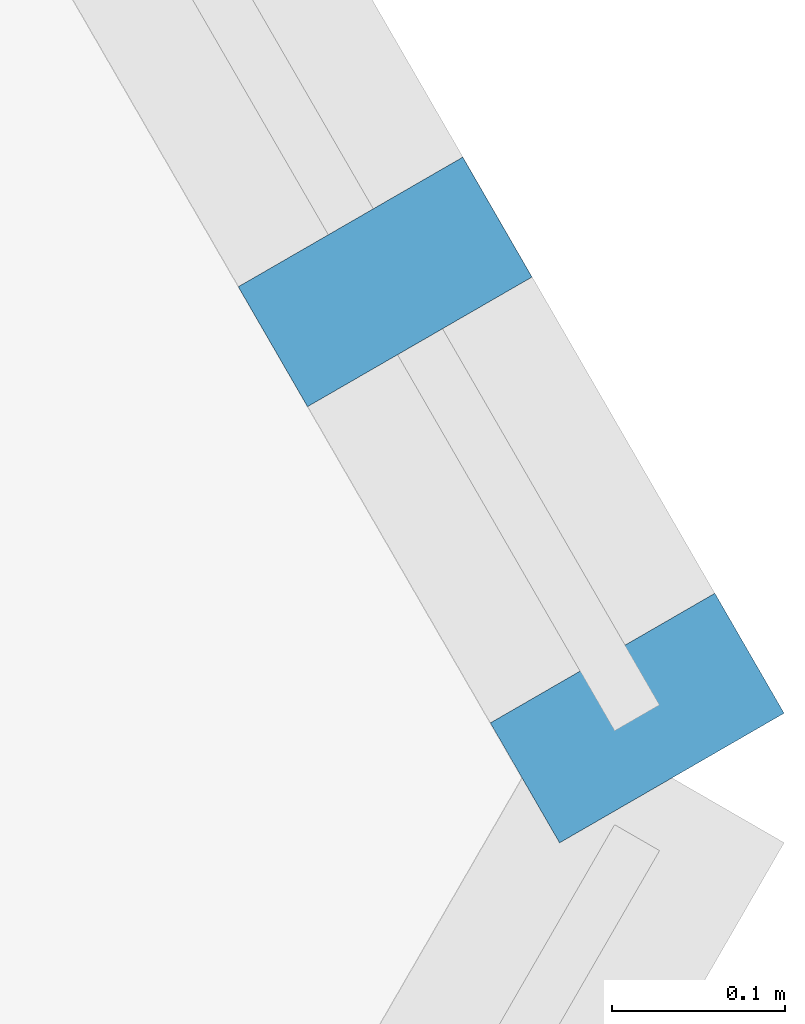
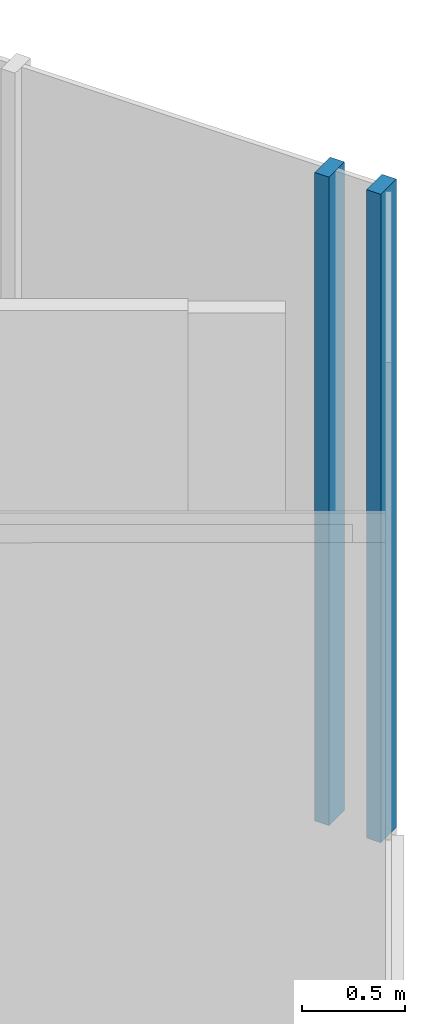
# One storey, part 12 of 26: 2 members, 1 element without a shape of its own.
"""IFC4 building model written with IfcOpenShell, lengths in metres."""

from ifc_helpers import new_model, si_unit, direction, frame, origin, origin_2d, place, context, subcontext, project, spatial, rectangle, extrude, material, layer, layer_set, material_profile, profile_set, type_object, element, aggregate, save


model = new_model("IFC4")

# Units and contexts
model_context = context("Model", 3, precision=1e-05, world=origin(), true_north=direction((0.0, 1.0)))
body_context = subcontext(model_context, "Body", "Model", "MODEL_VIEW")
ifc_project = project(units=[si_unit("LENGTHUNIT", "METRE"), si_unit("AREAUNIT", "SQUARE_METRE"), si_unit("VOLUMEUNIT", "CUBIC_METRE"), si_unit("PLANEANGLEUNIT", "RADIAN"), si_unit("MASSUNIT", "GRAM", prefix="KILO")], contexts=[model_context])

# Site, building, storey
site_placement = place(None, origin())
site = spatial("IfcSite", under=ifc_project, at=site_placement, CompositionType="ELEMENT")
building_placement = place(site_placement, origin())
building = spatial("IfcBuilding", under=site, at=building_placement, Name="Firuza Gate Tower and Library", CompositionType="ELEMENT")
storey_placement = place(building_placement, frame((0.0, 0.0, 65.199951171875)))
storey = spatial("IfcBuildingStorey", under=building, at=storey_placement, Name="L14", CompositionType="ELEMENT", Elevation=65.199951171875)

# Curtain wall, members
ifc_material_1 = material(Name="Aluminium 6063-T6", Category="aluminium")
ifc_layer = layer(ifc_material_1, 0.14990234375)
ifc_layer_set = layer_set([ifc_layer], Name="Unitised curtain wall, offices")
curtain_wall_type = type_object("IfcCurtainWallType", Name="Unitised curtain wall, offices", PredefinedType="NOTDEFINED", material=ifc_layer_set)
curtain_wall_placement = place(storey_placement, origin())
curtain_wall = element("IfcCurtainWall", 1, at=curtain_wall_placement, inside=storey, type_object=curtain_wall_type, Name="CW1 L14 E face", PredefinedType="NOTDEFINED")
ifc_material_2 = material(Name="Aluminium 6063-T6", Category="aluminium")
ifc_material_profile = material_profile(ifc_material_2, rectangle(XDim=0.14990234375, YDim=0.080078125, at=origin_2d()))
ifc_profile_set = profile_set([ifc_material_profile], Name="Aluminium 6063-T6")
member_type = type_object("IfcMemberType", Name="Curtain wall mullion 80x150", PredefinedType="MULLION", material=ifc_profile_set)
member_1_placement = place(storey_placement, frame((107.27001953125, 60.598876953125, 0.150146484375), z_axis=(0.0, 0.0, 1.0), x_axis=(-0.866025403784, -0.5, 0.0)))
member_1 = element("IfcMember", 2, at=member_1_placement, type_object=member_type, Name="Mullion", PredefinedType="MULLION", context=body_context, shape_type="SweptSolid", body=[
    extrude(rectangle(XDim=0.14990234375, YDim=0.080078125, at=origin_2d()), origin(), (0.0, 0.0, 1.0), 3.849853515625),
])
member_2_placement = place(storey_placement, frame((107.124267578125, 60.85107421875, 0.150146484375), z_axis=(0.0, 0.0, 1.0), x_axis=(-0.866025403784, -0.5, 0.0)))
member_2 = element("IfcMember", 3, at=member_2_placement, type_object=member_type, Name="Mullion", PredefinedType="MULLION", context=body_context, shape_type="SweptSolid", body=[
    extrude(rectangle(XDim=0.14990234375, YDim=0.080078125, at=origin_2d()), origin(), (0.0, 0.0, 1.0), 3.849853515625),
])
aggregate(curtain_wall, [member_1, member_2])

save(model, "model.ifc")
